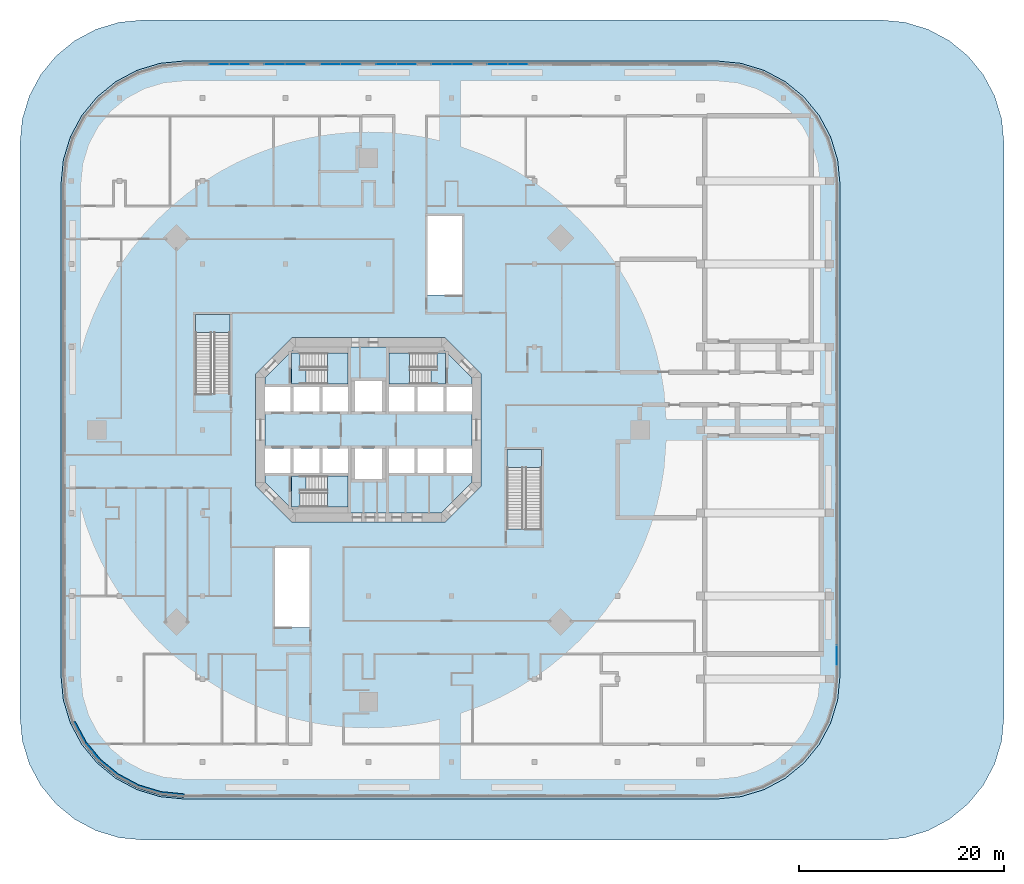
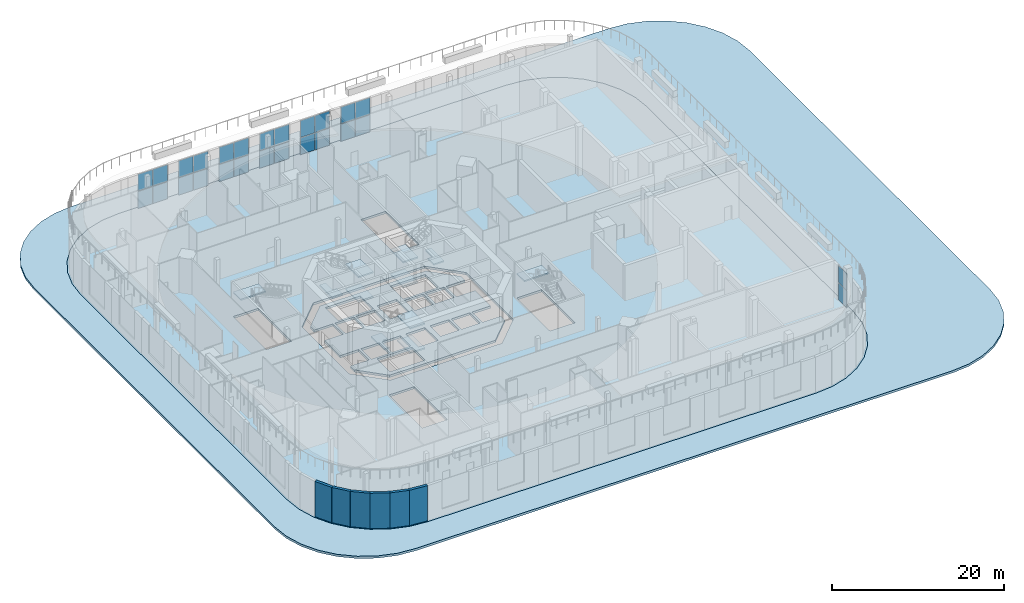
# One storey, part 5 of 17: 26 plates, 14 slabs, 6 walls, 12 elements without a shape of their own.
"""IFC4 building model written with IfcOpenShell, lengths in metres."""

from ifc_helpers import new_model, si_unit, direction, frame, frame_2d, origin, origin_2d, place, context, subcontext, project, spatial, polyline, rectangle, outline, extrude, material, layer, layer_set, type_object, element, aggregate, save


model = new_model("IFC4")

# Units and contexts
model_context = context("Model", 3, precision=1e-05, world=origin(), true_north=direction((0.0, 1.0)))
body_context = subcontext(model_context, "Body", "Model", "MODEL_VIEW")
ifc_project = project(units=[si_unit("LENGTHUNIT", "METRE"), si_unit("AREAUNIT", "SQUARE_METRE"), si_unit("VOLUMEUNIT", "CUBIC_METRE"), si_unit("PLANEANGLEUNIT", "RADIAN"), si_unit("MASSUNIT", "GRAM", prefix="KILO")], contexts=[model_context])

# Site, building, storey
site_placement = place(None, origin())
site = spatial("IfcSite", under=ifc_project, at=site_placement, CompositionType="ELEMENT")
building_placement = place(site_placement, origin())
building = spatial("IfcBuilding", under=site, at=building_placement, Name="Torre Triforio", CompositionType="ELEMENT")
storey_placement = place(building_placement, frame((0.0, 0.0, 13.0)))
storey = spatial("IfcBuildingStorey", under=building, at=storey_placement, Name="L02", CompositionType="ELEMENT", Elevation=13.0)

# Slab
ifc_material_1 = material(Name="Concrete C60", Category="concrete")
ifc_layer_1 = layer(ifc_material_1, 0.320068359375)
ifc_layer_set_1 = layer_set([ifc_layer_1], Name="Concrete C60")
slab_type_1 = type_object("IfcSlabType", Name="Core floor slab 320 mm C60 REI 120", PredefinedType="FLOOR", material=ifc_layer_set_1)
slab_1_placement = place(storey_placement, frame((0.0, 0.0, -0.320068359375)))
element("IfcSlab", 1, at=slab_1_placement, inside=storey, type_object=slab_type_1, Name="Core floor slab", PredefinedType="FLOOR", context=body_context, shape_type="SweptSolid", body=[
    extrude(outline(polyline([(10.10009765625, -5.10009765625), (7.10009765625, -8.10009765625), (-7.10009765625, -8.10009765625), (-10.10009765625, -5.10009765625), (-10.10009765625, -4.199951171875), (-7.60009765625, -4.199951171875), (-7.60009765625, -1.800048828125), (-10.10009765625, -1.800048828125), (-10.10009765625, 1.800048828125), (-7.60009765625, 1.800048828125), (-7.60009765625, 4.199951171875), (-10.10009765625, 4.199951171875), (-10.10009765625, 5.10009765625), (-7.10009765625, 8.10009765625), (7.10009765625, 8.10009765625), (10.10009765625, 5.10009765625), (10.10009765625, 4.199951171875), (7.60009765625, 4.199951171875), (7.60009765625, 1.800048828125), (10.10009765625, 1.800048828125), (10.10009765625, -1.800048828125), (7.60009765625, -1.800048828125), (7.60009765625, -4.199951171875), (10.10009765625, -4.199951171875), (10.10009765625, -5.10009765625)]), holes=[polyline([(-2.0, -4.5), (-6.696044921875, -4.5), (-6.696044921875, -7.5), (-2.0, -7.5), (-2.0, -4.5)]), polyline([(-4.800048828125, -1.800048828125), (-7.300048828125, -1.800048828125), (-7.300048828125, -4.199951171875), (-4.800048828125, -4.199951171875), (-4.800048828125, -1.800048828125)]), polyline([(-2.0, -1.800048828125), (-4.5, -1.800048828125), (-4.5, -4.199951171875), (-2.0, -4.199951171875), (-2.0, -1.800048828125)]), polyline([(-4.800048828125, 4.199951171875), (-7.300048828125, 4.199951171875), (-7.300048828125, 1.800048828125), (-4.800048828125, 1.800048828125), (-4.800048828125, 4.199951171875)]), polyline([(-2.0, 4.199951171875), (-4.5, 4.199951171875), (-4.5, 1.800048828125), (-2.0, 1.800048828125), (-2.0, 4.199951171875)]), polyline([(1.300048828125, 4.800048828125), (-1.300048828125, 4.800048828125), (-1.300048828125, 1.800048828125), (1.300048828125, 1.800048828125), (1.300048828125, 4.800048828125)]), polyline([(-2.0, 7.5), (-6.696044921875, 7.5), (-6.696044921875, 4.5), (-2.0, 4.5), (-2.0, 7.5)]), polyline([(1.300048828125, -1.800048828125), (-1.300048828125, -1.800048828125), (-1.300048828125, -4.800048828125), (1.300048828125, -4.800048828125), (1.300048828125, -1.800048828125)]), polyline([(4.5, -1.800048828125), (2.0, -1.800048828125), (2.0, -4.199951171875), (4.5, -4.199951171875), (4.5, -1.800048828125)]), polyline([(7.300048828125, -1.800048828125), (4.800048828125, -1.800048828125), (4.800048828125, -4.199951171875), (7.300048828125, -4.199951171875), (7.300048828125, -1.800048828125)]), polyline([(4.5, 4.199951171875), (2.0, 4.199951171875), (2.0, 1.800048828125), (4.5, 1.800048828125), (4.5, 4.199951171875)]), polyline([(7.300048828125, 4.199951171875), (4.800048828125, 4.199951171875), (4.800048828125, 1.800048828125), (7.300048828125, 1.800048828125), (7.300048828125, 4.199951171875)]), polyline([(6.696044921875, 4.5), (6.696044921875, 7.5), (2.0, 7.5), (2.0, 4.5), (6.696044921875, 4.5)])]), origin(), (0.0, 0.0, 1.0), 0.320068359375),
])

# Curtain wall, plates
ifc_material_2 = material(Name="Aluminium mullion and transom frame with clear laminated glass", Category="aluminium")
curtain_wall_type_1 = type_object("IfcCurtainWallType", Name="Studio foyer curtain wall ECW2", PredefinedType="NOTDEFINED", material=ifc_material_2)
curtain_wall_1_placement = place(storey_placement, origin())
curtain_wall_1 = element("IfcCurtainWall", 2, at=curtain_wall_1_placement, inside=storey, type_object=curtain_wall_type_1, Name="Studio foyer curtain wall L02 18.1.2.1", PredefinedType="NOTDEFINED")
ifc_material_3 = material(Name="Clear laminated glass", Category="glass")
ifc_layer_2 = layer(ifc_material_3, 0.030029296875)
ifc_layer_set_2 = layer_set([ifc_layer_2], Name="Clear laminated glass")
plate_type_1 = type_object("IfcPlateType", Name="ECW2 glass panel 30", PredefinedType="CURTAIN_PANEL", material=ifc_layer_set_2)
plate_1_placement = place(storey_placement, frame((14.5869140625, 35.675048828125, 0.070068359375), z_axis=(0.0, 0.0, 1.0), x_axis=(-1.0, 0.0, 0.0)))
plate_1 = element("IfcPlate", 3, at=plate_1_placement, type_object=plate_type_1, Name="ECW2 panel 1.1", PredefinedType="CURTAIN_PANEL", context=body_context, shape_type="SweptSolid", body=[
    extrude(rectangle(XDim=1.93505859375, YDim=0.030029296875, at=origin_2d()), origin(), (0.0, 0.0, 1.0), 2.39501953125),
])
plate_2_placement = place(storey_placement, frame((14.5869140625, 35.675048828125, 2.534912109375), z_axis=(0.0, 0.0, 1.0), x_axis=(-1.0, 0.0, 0.0)))
plate_2 = element("IfcPlate", 4, at=plate_2_placement, type_object=plate_type_1, Name="ECW2 panel 1.2", PredefinedType="CURTAIN_PANEL", context=body_context, shape_type="SweptSolid", body=[
    extrude(rectangle(XDim=1.93505859375, YDim=0.030029296875, at=origin_2d()), origin(), (0.0, 0.0, 1.0), 2.39501953125),
])
plate_3_placement = place(storey_placement, frame((12.591796875, 35.675048828125, 0.070068359375), z_axis=(0.0, 0.0, 1.0), x_axis=(-1.0, 0.0, 0.0)))
plate_3 = element("IfcPlate", 5, at=plate_3_placement, type_object=plate_type_1, Name="ECW2 panel 2.1", PredefinedType="CURTAIN_PANEL", context=body_context, shape_type="SweptSolid", body=[
    extrude(rectangle(XDim=1.93505859375, YDim=0.030029296875, at=origin_2d()), origin(), (0.0, 0.0, 1.0), 2.39501953125),
])
plate_4_placement = place(storey_placement, frame((12.591796875, 35.675048828125, 2.534912109375), z_axis=(0.0, 0.0, 1.0), x_axis=(-1.0, 0.0, 0.0)))
plate_4 = element("IfcPlate", 6, at=plate_4_placement, type_object=plate_type_1, Name="ECW2 panel 2.2", PredefinedType="CURTAIN_PANEL", context=body_context, shape_type="SweptSolid", body=[
    extrude(rectangle(XDim=1.93505859375, YDim=0.030029296875, at=origin_2d()), origin(), (0.0, 0.0, 1.0), 2.39501953125),
])
aggregate(curtain_wall_1, [plate_1, plate_2, plate_3, plate_4])

curtain_wall_2_placement = place(storey_placement, origin())
curtain_wall_2 = element("IfcCurtainWall", 7, at=curtain_wall_2_placement, inside=storey, type_object=curtain_wall_type_1, Name="Studio foyer curtain wall L02 18.1.2.2", PredefinedType="NOTDEFINED")
plate_5_placement = place(storey_placement, frame((9.151123046875, 35.675048828125, 0.070068359375), z_axis=(0.0, 0.0, 1.0), x_axis=(-1.0, 0.0, 0.0)))
plate_5 = element("IfcPlate", 8, at=plate_5_placement, type_object=plate_type_1, Name="ECW2 panel 1.1", PredefinedType="CURTAIN_PANEL", context=body_context, shape_type="SweptSolid", body=[
    extrude(rectangle(XDim=1.93505859375, YDim=0.030029296875, at=origin_2d()), origin(), (0.0, 0.0, 1.0), 2.39501953125),
])
plate_6_placement = place(storey_placement, frame((9.151123046875, 35.675048828125, 2.534912109375), z_axis=(0.0, 0.0, 1.0), x_axis=(-1.0, 0.0, 0.0)))
plate_6 = element("IfcPlate", 9, at=plate_6_placement, type_object=plate_type_1, Name="ECW2 panel 1.2", PredefinedType="CURTAIN_PANEL", context=body_context, shape_type="SweptSolid", body=[
    extrude(rectangle(XDim=1.93505859375, YDim=0.030029296875, at=origin_2d()), origin(), (0.0, 0.0, 1.0), 2.39501953125),
])
plate_7_placement = place(storey_placement, frame((7.156005859375, 35.675048828125, 0.070068359375), z_axis=(0.0, 0.0, 1.0), x_axis=(-1.0, 0.0, 0.0)))
plate_7 = element("IfcPlate", 10, at=plate_7_placement, type_object=plate_type_1, Name="ECW2 panel 2.1", PredefinedType="CURTAIN_PANEL", context=body_context, shape_type="SweptSolid", body=[
    extrude(rectangle(XDim=1.93505859375, YDim=0.030029296875, at=origin_2d()), origin(), (0.0, 0.0, 1.0), 2.39501953125),
])
plate_8_placement = place(storey_placement, frame((7.156005859375, 35.675048828125, 2.534912109375), z_axis=(0.0, 0.0, 1.0), x_axis=(-1.0, 0.0, 0.0)))
plate_8 = element("IfcPlate", 11, at=plate_8_placement, type_object=plate_type_1, Name="ECW2 panel 2.2", PredefinedType="CURTAIN_PANEL", context=body_context, shape_type="SweptSolid", body=[
    extrude(rectangle(XDim=1.93505859375, YDim=0.030029296875, at=origin_2d()), origin(), (0.0, 0.0, 1.0), 2.39501953125),
])
aggregate(curtain_wall_2, [plate_5, plate_6, plate_7, plate_8])

curtain_wall_3_placement = place(storey_placement, origin())
curtain_wall_3 = element("IfcCurtainWall", 12, at=curtain_wall_3_placement, inside=storey, type_object=curtain_wall_type_1, Name="Studio foyer curtain wall L02 18.1.2.3", PredefinedType="NOTDEFINED")
plate_9_placement = place(storey_placement, frame((3.71533203125, 35.675048828125, 0.070068359375), z_axis=(0.0, 0.0, 1.0), x_axis=(-1.0, 0.0, 0.0)))
plate_9 = element("IfcPlate", 13, at=plate_9_placement, type_object=plate_type_1, Name="ECW2 panel 1.1", PredefinedType="CURTAIN_PANEL", context=body_context, shape_type="SweptSolid", body=[
    extrude(rectangle(XDim=1.93505859375, YDim=0.030029296875, at=origin_2d()), origin(), (0.0, 0.0, 1.0), 2.39501953125),
])
plate_10_placement = place(storey_placement, frame((3.71533203125, 35.675048828125, 2.534912109375), z_axis=(0.0, 0.0, 1.0), x_axis=(-1.0, 0.0, 0.0)))
plate_10 = element("IfcPlate", 14, at=plate_10_placement, type_object=plate_type_1, Name="ECW2 panel 1.2", PredefinedType="CURTAIN_PANEL", context=body_context, shape_type="SweptSolid", body=[
    extrude(rectangle(XDim=1.93505859375, YDim=0.030029296875, at=origin_2d()), origin(), (0.0, 0.0, 1.0), 2.39501953125),
])
plate_11_placement = place(storey_placement, frame((1.720458984375, 35.675048828125, 0.070068359375), z_axis=(0.0, 0.0, 1.0), x_axis=(-1.0, 0.0, 0.0)))
plate_11 = element("IfcPlate", 15, at=plate_11_placement, type_object=plate_type_1, Name="ECW2 panel 2.1", PredefinedType="CURTAIN_PANEL", context=body_context, shape_type="SweptSolid", body=[
    extrude(rectangle(XDim=1.93505859375, YDim=0.030029296875, at=origin_2d()), origin(), (0.0, 0.0, 1.0), 2.39501953125),
])
plate_12_placement = place(storey_placement, frame((1.720458984375, 35.675048828125, 2.534912109375), z_axis=(0.0, 0.0, 1.0), x_axis=(-1.0, 0.0, 0.0)))
plate_12 = element("IfcPlate", 16, at=plate_12_placement, type_object=plate_type_1, Name="ECW2 panel 2.2", PredefinedType="CURTAIN_PANEL", context=body_context, shape_type="SweptSolid", body=[
    extrude(rectangle(XDim=1.93505859375, YDim=0.030029296875, at=origin_2d()), origin(), (0.0, 0.0, 1.0), 2.39501953125),
])
aggregate(curtain_wall_3, [plate_9, plate_10, plate_11, plate_12])

curtain_wall_4_placement = place(storey_placement, origin())
curtain_wall_4 = element("IfcCurtainWall", 17, at=curtain_wall_4_placement, inside=storey, type_object=curtain_wall_type_1, Name="Studio foyer curtain wall L02 18.1.2.4", PredefinedType="NOTDEFINED")
plate_13_placement = place(storey_placement, frame((-1.720458984375, 35.675048828125, 0.070068359375), z_axis=(0.0, 0.0, 1.0), x_axis=(-1.0, 0.0, 0.0)))
plate_13 = element("IfcPlate", 18, at=plate_13_placement, type_object=plate_type_1, Name="ECW2 panel 1.1", PredefinedType="CURTAIN_PANEL", context=body_context, shape_type="SweptSolid", body=[
    extrude(rectangle(XDim=1.93505859375, YDim=0.030029296875, at=origin_2d()), origin(), (0.0, 0.0, 1.0), 2.39501953125),
])
plate_14_placement = place(storey_placement, frame((-1.720458984375, 35.675048828125, 2.534912109375), z_axis=(0.0, 0.0, 1.0), x_axis=(-1.0, 0.0, 0.0)))
plate_14 = element("IfcPlate", 19, at=plate_14_placement, type_object=plate_type_1, Name="ECW2 panel 1.2", PredefinedType="CURTAIN_PANEL", context=body_context, shape_type="SweptSolid", body=[
    extrude(rectangle(XDim=1.93505859375, YDim=0.030029296875, at=origin_2d()), origin(), (0.0, 0.0, 1.0), 2.39501953125),
])
plate_15_placement = place(storey_placement, frame((-3.71533203125, 35.675048828125, 0.070068359375), z_axis=(0.0, 0.0, 1.0), x_axis=(-1.0, 0.0, 0.0)))
plate_15 = element("IfcPlate", 20, at=plate_15_placement, type_object=plate_type_1, Name="ECW2 panel 2.1", PredefinedType="CURTAIN_PANEL", context=body_context, shape_type="SweptSolid", body=[
    extrude(rectangle(XDim=1.93505859375, YDim=0.030029296875, at=origin_2d()), origin(), (0.0, 0.0, 1.0), 2.39501953125),
])
plate_16_placement = place(storey_placement, frame((-3.71533203125, 35.675048828125, 2.534912109375), z_axis=(0.0, 0.0, 1.0), x_axis=(-1.0, 0.0, 0.0)))
plate_16 = element("IfcPlate", 21, at=plate_16_placement, type_object=plate_type_1, Name="ECW2 panel 2.2", PredefinedType="CURTAIN_PANEL", context=body_context, shape_type="SweptSolid", body=[
    extrude(rectangle(XDim=1.93505859375, YDim=0.030029296875, at=origin_2d()), origin(), (0.0, 0.0, 1.0), 2.39501953125),
])
aggregate(curtain_wall_4, [plate_13, plate_14, plate_15, plate_16])

curtain_wall_5_placement = place(storey_placement, origin())
curtain_wall_5 = element("IfcCurtainWall", 22, at=curtain_wall_5_placement, inside=storey, type_object=curtain_wall_type_1, Name="Studio foyer curtain wall L02 18.1.2.5", PredefinedType="NOTDEFINED")
plate_17_placement = place(storey_placement, frame((-7.156005859375, 35.675048828125, 0.070068359375), z_axis=(0.0, 0.0, 1.0), x_axis=(-1.0, 0.0, 0.0)))
plate_17 = element("IfcPlate", 23, at=plate_17_placement, type_object=plate_type_1, Name="ECW2 panel 1.1", PredefinedType="CURTAIN_PANEL", context=body_context, shape_type="SweptSolid", body=[
    extrude(rectangle(XDim=1.93505859375, YDim=0.030029296875, at=origin_2d()), origin(), (0.0, 0.0, 1.0), 2.39501953125),
])
plate_18_placement = place(storey_placement, frame((-7.156005859375, 35.675048828125, 2.534912109375), z_axis=(0.0, 0.0, 1.0), x_axis=(-1.0, 0.0, 0.0)))
plate_18 = element("IfcPlate", 24, at=plate_18_placement, type_object=plate_type_1, Name="ECW2 panel 1.2", PredefinedType="CURTAIN_PANEL", context=body_context, shape_type="SweptSolid", body=[
    extrude(rectangle(XDim=1.93505859375, YDim=0.030029296875, at=origin_2d()), origin(), (0.0, 0.0, 1.0), 2.39501953125),
])
plate_19_placement = place(storey_placement, frame((-9.151123046875, 35.675048828125, 0.070068359375), z_axis=(0.0, 0.0, 1.0), x_axis=(-1.0, 0.0, 0.0)))
plate_19 = element("IfcPlate", 25, at=plate_19_placement, type_object=plate_type_1, Name="ECW2 panel 2.1", PredefinedType="CURTAIN_PANEL", context=body_context, shape_type="SweptSolid", body=[
    extrude(rectangle(XDim=1.93505859375, YDim=0.030029296875, at=origin_2d()), origin(), (0.0, 0.0, 1.0), 2.39501953125),
])
plate_20_placement = place(storey_placement, frame((-9.151123046875, 35.675048828125, 2.534912109375), z_axis=(0.0, 0.0, 1.0), x_axis=(-1.0, 0.0, 0.0)))
plate_20 = element("IfcPlate", 26, at=plate_20_placement, type_object=plate_type_1, Name="ECW2 panel 2.2", PredefinedType="CURTAIN_PANEL", context=body_context, shape_type="SweptSolid", body=[
    extrude(rectangle(XDim=1.93505859375, YDim=0.030029296875, at=origin_2d()), origin(), (0.0, 0.0, 1.0), 2.39501953125),
])
aggregate(curtain_wall_5, [plate_17, plate_18, plate_19, plate_20])

curtain_wall_6_placement = place(storey_placement, origin())
curtain_wall_6 = element("IfcCurtainWall", 27, at=curtain_wall_6_placement, inside=storey, type_object=curtain_wall_type_1, Name="Studio foyer curtain wall L02 18.1.2.6", PredefinedType="NOTDEFINED")
plate_21_placement = place(storey_placement, frame((-12.591796875, 35.675048828125, 0.070068359375), z_axis=(0.0, 0.0, 1.0), x_axis=(-1.0, 0.0, 0.0)))
plate_21 = element("IfcPlate", 28, at=plate_21_placement, type_object=plate_type_1, Name="ECW2 panel 1.1", PredefinedType="CURTAIN_PANEL", context=body_context, shape_type="SweptSolid", body=[
    extrude(rectangle(XDim=1.93505859375, YDim=0.030029296875, at=origin_2d()), origin(), (0.0, 0.0, 1.0), 2.39501953125),
])
plate_22_placement = place(storey_placement, frame((-12.591796875, 35.675048828125, 2.534912109375), z_axis=(0.0, 0.0, 1.0), x_axis=(-1.0, 0.0, 0.0)))
plate_22 = element("IfcPlate", 29, at=plate_22_placement, type_object=plate_type_1, Name="ECW2 panel 1.2", PredefinedType="CURTAIN_PANEL", context=body_context, shape_type="SweptSolid", body=[
    extrude(rectangle(XDim=1.93505859375, YDim=0.030029296875, at=origin_2d()), origin(), (0.0, 0.0, 1.0), 2.39501953125),
])
plate_23_placement = place(storey_placement, frame((-14.5869140625, 35.675048828125, 0.070068359375), z_axis=(0.0, 0.0, 1.0), x_axis=(-1.0, 0.0, 0.0)))
plate_23 = element("IfcPlate", 30, at=plate_23_placement, type_object=plate_type_1, Name="ECW2 panel 2.1", PredefinedType="CURTAIN_PANEL", context=body_context, shape_type="SweptSolid", body=[
    extrude(rectangle(XDim=1.93505859375, YDim=0.030029296875, at=origin_2d()), origin(), (0.0, 0.0, 1.0), 2.39501953125),
])
plate_24_placement = place(storey_placement, frame((-14.5869140625, 35.675048828125, 2.534912109375), z_axis=(0.0, 0.0, 1.0), x_axis=(-1.0, 0.0, 0.0)))
plate_24 = element("IfcPlate", 31, at=plate_24_placement, type_object=plate_type_1, Name="ECW2 panel 2.2", PredefinedType="CURTAIN_PANEL", context=body_context, shape_type="SweptSolid", body=[
    extrude(rectangle(XDim=1.93505859375, YDim=0.030029296875, at=origin_2d()), origin(), (0.0, 0.0, 1.0), 2.39501953125),
])
aggregate(curtain_wall_6, [plate_21, plate_22, plate_23, plate_24])

curtain_wall_type_2 = type_object("IfcCurtainWallType", Name="Terrace lounge curtain wall ECW5", PredefinedType="NOTDEFINED", material=ifc_material_2)
curtain_wall_7_placement = place(storey_placement, origin())
curtain_wall_7 = element("IfcCurtainWall", 32, at=curtain_wall_7_placement, inside=storey, type_object=curtain_wall_type_2, Name="Terrace lounge curtain wall L02 09.1.1.1", PredefinedType="NOTDEFINED")
ifc_layer_3 = layer(ifc_material_3, 0.02587890625)
ifc_layer_set_3 = layer_set([ifc_layer_3], Name="Clear laminated glass")
plate_type_2 = type_object("IfcPlateType", Name="ECW5 glass panel 26", PredefinedType="CURTAIN_PANEL", material=ifc_layer_set_3)
plate_25_placement = place(storey_placement, frame((45.675048828125, -21.991943359375, 0.06005859375), z_axis=(0.0, 0.0, 1.0), x_axis=(0.0, 1.0, 0.0)))
plate_25 = element("IfcPlate", 33, at=plate_25_placement, type_object=plate_type_2, Name="ECW5 panel 1.1", PredefinedType="CURTAIN_PANEL", context=body_context, shape_type="SweptSolid", body=[
    extrude(rectangle(XDim=1.9150390625, YDim=0.02587890625, at=origin_2d()), origin(), (0.0, 0.0, 1.0), 2.409912109375),
])
plate_26_placement = place(storey_placement, frame((45.675048828125, -21.991943359375, 2.5302734375), z_axis=(0.0, 0.0, 1.0), x_axis=(0.0, 1.0, 0.0)))
plate_26 = element("IfcPlate", 34, at=plate_26_placement, type_object=plate_type_2, Name="ECW5 panel 1.2", PredefinedType="CURTAIN_PANEL", context=body_context, shape_type="SweptSolid", body=[
    extrude(rectangle(XDim=1.9150390625, YDim=0.02587890625, at=origin_2d()), origin(), (0.0, 0.0, 1.0), 2.409912109375),
])
aggregate(curtain_wall_7, [plate_25, plate_26])

# Stair, slab
ifc_material_4 = material(Name="Concrete C40", Category="concrete")
stair_type_1 = type_object("IfcStairType", Name="Egress stair 1400 clear", PredefinedType="NOTDEFINED", material=ifc_material_4)
stair_1_placement = place(storey_placement, origin())
stair_1 = element("IfcStair", 35, at=stair_1_placement, inside=storey, type_object=stair_type_1, Name="Exit stair PS1 L02 to L03", PredefinedType="NOTDEFINED")
ifc_layer_4 = layer(ifc_material_4, 0.199951171875)
ifc_layer_set_4 = layer_set([ifc_layer_4], Name="Concrete C40")
slab_type_2 = type_object("IfcSlabType", Name="Egress stair landing 200", PredefinedType="LANDING", material=ifc_layer_set_4)
slab_2_placement = place(storey_placement, frame((0.0, 0.0, 3.300048828125)))
slab_2 = element("IfcSlab", 36, at=slab_2_placement, type_object=slab_type_2, Name="PS1 landing 1", PredefinedType="LANDING", context=body_context, shape_type="SweptSolid", body=[
    extrude(outline(polyline([(-16.875, 9.52490234375), (-13.52490234375, 9.52490234375), (-13.52490234375, 11.27490234375), (-16.875, 11.27490234375), (-16.875, 9.52490234375)])), origin(), (0.0, 0.0, 1.0), 0.199951171875),
])
aggregate(stair_1, [slab_2])

stair_2_placement = place(storey_placement, origin())
stair_2 = element("IfcStair", 37, at=stair_2_placement, inside=storey, type_object=stair_type_1, Name="Exit stair PS2 L02 to L03", PredefinedType="NOTDEFINED")
slab_3_placement = place(storey_placement, frame((0.0, 0.0, 3.300048828125)))
slab_3 = element("IfcSlab", 38, at=slab_3_placement, type_object=slab_type_2, Name="PS2 landing 1", PredefinedType="LANDING", context=body_context, shape_type="SweptSolid", body=[
    extrude(outline(polyline([(13.52490234375, -3.675048828125), (16.875, -3.675048828125), (16.875, -1.925048828125), (13.52490234375, -1.925048828125), (13.52490234375, -3.675048828125)])), origin(), (0.0, 0.0, 1.0), 0.199951171875),
])
aggregate(stair_2, [slab_3])

# Slab
ifc_material_5 = material(Name="Concrete C50", Category="concrete")
ifc_layer_5 = layer(ifc_material_5, 0.320068359375)
ifc_layer_set_5 = layer_set([ifc_layer_5], Name="Concrete C50")
slab_type_3 = type_object("IfcSlabType", Name="Floor slab 320 C50", PredefinedType="FLOOR", material=ifc_layer_set_5)
slab_4_placement = place(storey_placement, frame((0.0, 0.0, -0.320068359375)))
element("IfcSlab", 39, at=slab_4_placement, inside=storey, type_object=slab_type_3, Name="SL.L02", PredefinedType="FLOOR", context=body_context, shape_type="SweptSolid", body=[
    extrude(outline(polyline([(-20.341064453125, -35.76953125), (-18.0, -36.0), (34.0, -36.0), (36.341064453125, -35.76953125), (38.59228515625, -35.086669921875), (40.666748046875, -33.9775390625), (42.4853515625, -32.4853515625), (43.9775390625, -30.666748046875), (45.086669921875, -28.59228515625), (45.76953125, -26.341064453125), (46.0, -24.0), (46.0, 24.0), (45.76953125, 26.341064453125), (45.086669921875, 28.59228515625), (43.9775390625, 30.666748046875), (42.4853515625, 32.4853515625), (40.666748046875, 33.9775390625), (38.59228515625, 35.086669921875), (36.341064453125, 35.76953125), (34.0, 36.0), (-18.0, 36.0), (-20.341064453125, 35.76953125), (-22.59228515625, 35.086669921875), (-24.666748046875, 33.9775390625), (-26.4853515625, 32.4853515625), (-27.9775390625, 30.666748046875), (-29.086669921875, 28.59228515625), (-29.76953125, 26.341064453125), (-30.0, 24.0), (-30.0, -24.0), (-29.76953125, -26.341064453125), (-29.086669921875, -28.59228515625), (-27.9775390625, -30.666748046875), (-26.4853515625, -32.4853515625), (-24.666748046875, -33.9775390625), (-22.59228515625, -35.086669921875), (-20.341064453125, -35.76953125)]), holes=[polyline([(7.472900390625, 9.0), (11.0, 5.472900390625), (11.0, -5.472900390625), (7.472900390625, -9.0), (-7.472900390625, -9.0), (-11.0, -5.472900390625), (-11.0, 5.472900390625), (-7.472900390625, 9.0), (7.472900390625, 9.0)]), polyline([(-9.125, -11.52490234375), (-5.77490234375, -11.52490234375), (-5.77490234375, -19.2451171875), (-9.125, -19.2451171875), (-9.125, -11.52490234375)]), polyline([(13.52490234375, -1.925048828125), (16.875, -1.925048828125), (16.875, -9.64501953125), (13.52490234375, -9.64501953125), (13.52490234375, -1.925048828125)]), polyline([(-16.875, 11.27490234375), (-13.52490234375, 11.27490234375), (-13.52490234375, 3.554931640625), (-16.875, 3.554931640625), (-16.875, 11.27490234375)]), polyline([(5.77490234375, 20.875), (9.125, 20.875), (9.125, 13.155029296875), (5.77490234375, 13.155029296875), (5.77490234375, 20.875)])]), origin(), (0.0, 0.0, 1.0), 0.320068359375),
])

# Stair, slabs
stair_type_2 = type_object("IfcStairType", Name="STAIR DOUBLE RETURN", PredefinedType="DOUBLE_RETURN_STAIR", material=ifc_material_4)
stair_3_placement = place(storey_placement, origin())
stair_3 = element("IfcStair", 40, at=stair_3_placement, inside=storey, type_object=stair_type_2, Name="Exit stair 1", PredefinedType="DOUBLE_RETURN_STAIR")
ifc_layer_6 = layer(ifc_material_4, 0.199951171875)
ifc_layer_set_6 = layer_set([ifc_layer_6], Name="Concrete C40")
slab_type_4 = type_object("IfcSlabType", Name="STAIR LANDING 200", PredefinedType="LANDING", material=ifc_layer_set_6)
slab_5_placement = place(storey_placement, frame((0.0, 0.0, 1.550048828125)))
slab_5 = element("IfcSlab", 41, at=slab_5_placement, type_object=slab_type_4, Name="ST1 landing 1", PredefinedType="LANDING", context=body_context, shape_type="SweptSolid", body=[
    extrude(outline(polyline([(-2.0, 4.5), (-2.0, 7.5), (-4.0, 7.5), (-4.0, 4.5), (-2.0, 4.5)])), origin(), (0.0, 0.0, 1.0), 0.199951171875),
])
slab_6_placement = place(storey_placement, frame((0.0, 0.0, 3.300048828125)))
slab_6 = element("IfcSlab", 42, at=slab_6_placement, type_object=slab_type_4, Name="ST1 landing 2", PredefinedType="LANDING", context=body_context, shape_type="SweptSolid", body=[
    extrude(outline(polyline([(-6.10009765625, 5.89990234375), (-6.10009765625, 4.5), (-6.696044921875, 4.5), (-6.699951171875, 4.5), (-7.5, 4.5), (-7.5, 7.5), (-6.696044921875, 7.5), (-6.696044921875, 5.89990234375), (-6.10009765625, 5.89990234375)])), origin(), (0.0, 0.0, 1.0), 0.199951171875),
])
slab_7_placement = place(storey_placement, frame((0.0, 0.0, 5.050048828125)))
slab_7 = element("IfcSlab", 43, at=slab_7_placement, type_object=slab_type_4, Name="ST1 landing 3", PredefinedType="LANDING", context=body_context, shape_type="SweptSolid", body=[
    extrude(outline(polyline([(-2.0, 4.5), (-2.0, 7.5), (-4.0, 7.5), (-4.0, 4.5), (-2.0, 4.5)])), origin(), (0.0, 0.0, 1.0), 0.199951171875),
])
aggregate(stair_3, [slab_5, slab_6, slab_7])

stair_4_placement = place(storey_placement, origin())
stair_4 = element("IfcStair", 44, at=stair_4_placement, inside=storey, type_object=stair_type_2, Name="Exit stair 2", PredefinedType="DOUBLE_RETURN_STAIR")
slab_8_placement = place(storey_placement, frame((0.0, 0.0, 1.550048828125)))
slab_8 = element("IfcSlab", 45, at=slab_8_placement, type_object=slab_type_4, Name="ST2 landing 1", PredefinedType="LANDING", context=body_context, shape_type="SweptSolid", body=[
    extrude(outline(polyline([(4.0, 4.5), (4.0, 7.5), (2.0, 7.5), (2.0, 4.5), (4.0, 4.5)])), origin(), (0.0, 0.0, 1.0), 0.199951171875),
])
slab_9_placement = place(storey_placement, frame((0.0, 0.0, 3.300048828125)))
slab_9 = element("IfcSlab", 46, at=slab_9_placement, type_object=slab_type_4, Name="ST2 landing 2", PredefinedType="LANDING", context=body_context, shape_type="SweptSolid", body=[
    extrude(outline(polyline([(6.10009765625, 4.5), (6.10009765625, 5.89990234375), (6.696044921875, 5.89990234375), (6.696044921875, 7.5), (7.5, 7.5), (7.5, 4.5), (6.699951171875, 4.5), (6.696044921875, 4.5), (6.10009765625, 4.5)])), origin(), (0.0, 0.0, 1.0), 0.199951171875),
])
slab_10_placement = place(storey_placement, frame((0.0, 0.0, 5.050048828125)))
slab_10 = element("IfcSlab", 47, at=slab_10_placement, type_object=slab_type_4, Name="ST2 landing 3", PredefinedType="LANDING", context=body_context, shape_type="SweptSolid", body=[
    extrude(outline(polyline([(4.0, 4.5), (4.0, 7.5), (2.0, 7.5), (2.0, 4.5), (4.0, 4.5)])), origin(), (0.0, 0.0, 1.0), 0.199951171875),
])
aggregate(stair_4, [slab_8, slab_9, slab_10])

stair_5_placement = place(storey_placement, origin())
stair_5 = element("IfcStair", 48, at=stair_5_placement, inside=storey, type_object=stair_type_2, Name="Exit stair 3", PredefinedType="DOUBLE_RETURN_STAIR")
slab_11_placement = place(storey_placement, frame((0.0, 0.0, 1.550048828125)))
slab_11 = element("IfcSlab", 49, at=slab_11_placement, type_object=slab_type_4, Name="ST3 landing 1", PredefinedType="LANDING", context=body_context, shape_type="SweptSolid", body=[
    extrude(outline(polyline([(-2.0, -7.5), (-2.0, -4.5), (-4.0, -4.5), (-4.0, -7.5), (-2.0, -7.5)])), origin(), (0.0, 0.0, 1.0), 0.199951171875),
])
slab_12_placement = place(storey_placement, frame((0.0, 0.0, 3.300048828125)))
slab_12 = element("IfcSlab", 50, at=slab_12_placement, type_object=slab_type_4, Name="ST3 landing 2", PredefinedType="LANDING", context=body_context, shape_type="SweptSolid", body=[
    extrude(outline(polyline([(-6.696044921875, -7.5), (-7.5, -7.5), (-7.5, -4.5), (-6.699951171875, -4.5), (-6.696044921875, -4.5), (-6.10009765625, -4.5), (-6.10009765625, -5.89990234375), (-6.696044921875, -5.89990234375), (-6.696044921875, -7.5)])), origin(), (0.0, 0.0, 1.0), 0.199951171875),
])
slab_13_placement = place(storey_placement, frame((0.0, 0.0, 5.050048828125)))
slab_13 = element("IfcSlab", 51, at=slab_13_placement, type_object=slab_type_4, Name="ST3 landing 3", PredefinedType="LANDING", context=body_context, shape_type="SweptSolid", body=[
    extrude(outline(polyline([(-2.0, -7.5), (-2.0, -4.5), (-4.0, -4.5), (-4.0, -7.5), (-2.0, -7.5)])), origin(), (0.0, 0.0, 1.0), 0.199951171875),
])
aggregate(stair_5, [slab_11, slab_12, slab_13])

# Slab
ifc_layer_7 = layer(ifc_material_5, 0.320068359375)
ifc_layer_set_7 = layer_set([ifc_layer_7], Name="Concrete C50")
slab_type_5 = type_object("IfcSlabType", Name="Terrace slab 320 C50", PredefinedType="FLOOR", material=ifc_layer_set_7)
slab_14_placement = place(storey_placement, frame((0.0, 0.0, -0.320068359375)))
element("IfcSlab", 52, at=slab_14_placement, inside=storey, type_object=slab_type_5, Name="SL.T2", PredefinedType="FLOOR", context=body_context, shape_type="SweptSolid", body=[
    extrude(outline(polyline([(-24.341064453125, -39.76953125), (-22.0, -40.0), (50.0, -40.0), (52.341064453125, -39.76953125), (54.59228515625, -39.086669921875), (56.666748046875, -37.9775390625), (58.4853515625, -36.4853515625), (59.9775390625, -34.666748046875), (61.086669921875, -32.59228515625), (61.76953125, -30.341064453125), (62.0, -28.0), (62.0, 28.0), (61.76953125, 30.341064453125), (61.086669921875, 32.59228515625), (59.9775390625, 34.666748046875), (58.4853515625, 36.4853515625), (56.666748046875, 37.9775390625), (54.59228515625, 39.086669921875), (52.341064453125, 39.76953125), (50.0, 40.0), (-22.0, 40.0), (-24.341064453125, 39.76953125), (-26.59228515625, 39.086669921875), (-28.666748046875, 37.9775390625), (-30.4853515625, 36.4853515625), (-31.9775390625, 34.666748046875), (-33.086669921875, 32.59228515625), (-33.76953125, 30.341064453125), (-34.0, 28.0), (-34.0, -28.0), (-33.76953125, -30.341064453125), (-33.086669921875, -32.59228515625), (-31.9775390625, -34.666748046875), (-30.4853515625, -36.4853515625), (-28.666748046875, -37.9775390625), (-26.59228515625, -39.086669921875), (-24.341064453125, -39.76953125)]), holes=[polyline([(38.59228515625, -35.086669921875), (36.341064453125, -35.76953125), (34.0, -36.0), (-18.0, -36.0), (-20.341064453125, -35.76953125), (-22.59228515625, -35.086669921875), (-24.666748046875, -33.9775390625), (-26.4853515625, -32.4853515625), (-27.9775390625, -30.666748046875), (-29.086669921875, -28.59228515625), (-29.76953125, -26.341064453125), (-30.0, -24.0), (-30.0, 24.0), (-29.76953125, 26.341064453125), (-29.086669921875, 28.59228515625), (-27.9775390625, 30.666748046875), (-26.4853515625, 32.4853515625), (-24.666748046875, 33.9775390625), (-22.59228515625, 35.086669921875), (-20.341064453125, 35.76953125), (-18.0, 36.0), (34.0, 36.0), (36.341064453125, 35.76953125), (38.59228515625, 35.086669921875), (40.666748046875, 33.9775390625), (42.4853515625, 32.4853515625), (43.9775390625, 30.666748046875), (45.086669921875, 28.59228515625), (45.76953125, 26.341064453125), (46.0, 24.0), (46.0, -24.0), (45.76953125, -26.341064453125), (45.086669921875, -28.59228515625), (43.9775390625, -30.666748046875), (42.4853515625, -32.4853515625), (40.666748046875, -33.9775390625), (38.59228515625, -35.086669921875)])]), origin(), (0.0, 0.0, 1.0), 0.320068359375),
])

# Walls
ifc_material_6 = material(Name="Limestone cladding", Category="masonry")
ifc_layer_8 = layer(ifc_material_6, 0.10009765625)
ifc_layer_9 = layer(ifc_material_4, 0.25)
ifc_layer_set_8 = layer_set([ifc_layer_8, ifc_layer_9], Name="Limestone cladding / Concrete C40")
wall_type = type_object("IfcWallType", Name="Stone-clad podium wall 350", PredefinedType="STANDARD", material=ifc_layer_set_8)
for number, where, z_axis, x_axis, name in (
    (53, (-28.784912109375, -28.46728515625, 0.0), (0.0, 0.0, 1.0), (0.47145739061, -0.881888841544, 0.0), "External wall L02 e29.0.w0"),
    (54, (-27.7060546875, -30.4853515625, 0.0), (0.0, 0.0, 1.0), (0.634352578082, -0.773043858187, 0.0), "External wall L02 e30.0.w0"),
    (55, (-26.25439453125, -32.25439453125, 0.0), (0.0, 0.0, 1.0), (0.773043858187, -0.634352578082, 0.0), "External wall L02 e31.0.w0"),
    (56, (-24.4853515625, -33.7060546875, 0.0), (0.0, 0.0, 1.0), (0.881888841544, -0.47145739061, 0.0), "External wall L02 e32.0.w0"),
):
    element("IfcWall", number, at=place(storey_placement, frame(where, z_axis=z_axis, x_axis=x_axis)), inside=storey, type_object=wall_type, Name=name, PredefinedType="STANDARD", context=body_context, shape_type="SweptSolid", body=[
        extrude(rectangle(XDim=2.288330078125, YDim=0.35009765625, at=frame_2d((1.14404296875, 0.0))), origin(), (0.0, 0.0, 1.0), 5.0),
    ])
wall_1_placement = place(storey_placement, frame((-22.46728515625, -34.784912109375, 0.0), z_axis=(0.0, 0.0, 1.0), x_axis=(0.956940921075, -0.29028274763, 0.0)))
element("IfcWall", 57, at=wall_1_placement, inside=storey, type_object=wall_type, Name="External wall L02 e33.0.w0", PredefinedType="STANDARD", context=body_context, shape_type="SweptSolid", body=[
    extrude(rectangle(XDim=2.28857421875, YDim=0.35009765625, at=frame_2d((1.144287109375, 0.0))), origin(), (0.0, 0.0, 1.0), 5.0),
])
wall_2_placement = place(storey_placement, frame((-20.27734375, -35.44921875, 0.0), z_axis=(0.0, 0.0, 1.0), x_axis=(0.995187085002, -0.097993192849, 0.0)))
element("IfcWall", 58, at=wall_2_placement, inside=storey, type_object=wall_type, Name="External wall L02 e34.0.w0", PredefinedType="STANDARD", context=body_context, shape_type="SweptSolid", body=[
    extrude(rectangle(XDim=2.304443359375, YDim=0.35009765625, at=frame_2d((1.15234375, 0.0))), origin(), (0.0, 0.0, 1.0), 5.0),
])

save(model, "model.ifc")
